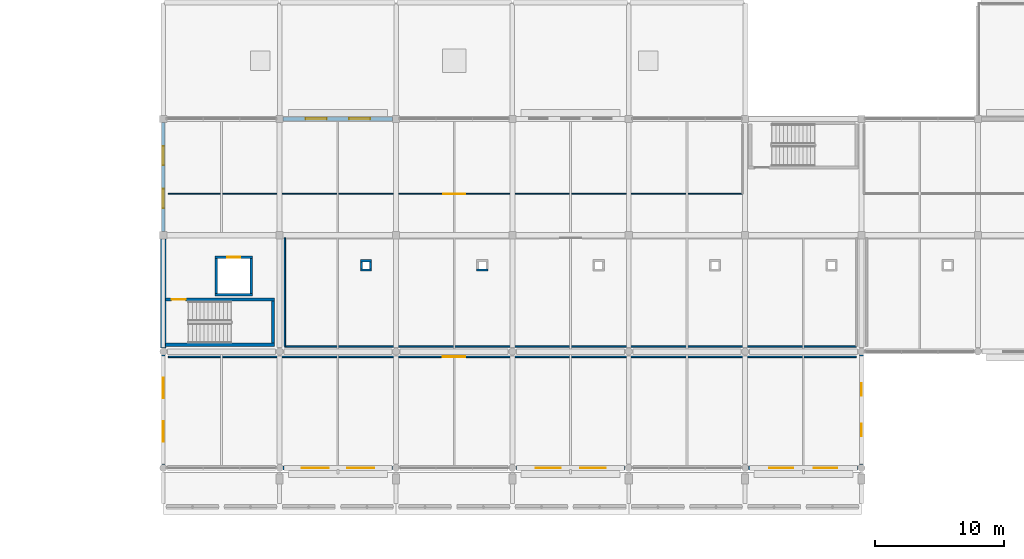
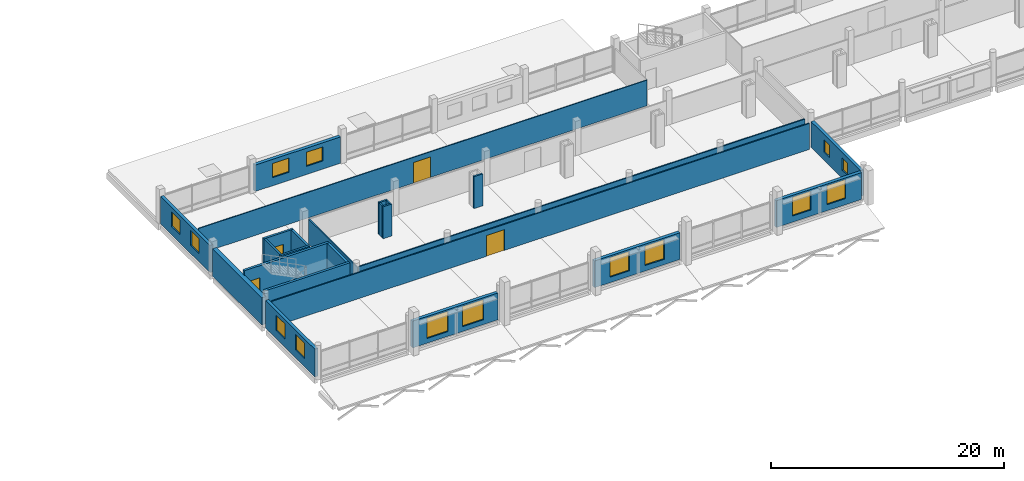
# One storey, part 110 of 132: 24 walls, 14 windows, 4 doors, 18 openings.
"""IFC4 building model written with IfcOpenShell, lengths in metres."""

import ifcopenshell
import ifcopenshell.guid

model = None  # the IFC model being written
_history = None  # IfcOwnerHistory: only IFC2X3 demands one
_inside = {}  # id of a spatial element -> (the spatial element, [elements in it])
_under = {}  # id of a project, library or spatial element -> (it, [spatial elements below it])
_declared = {}  # id of a project -> (the project, [libraries it declares])
_typed = {}  # id of a type object -> (the type object, [elements of that type])
_made_of = {}  # id of a material, layer set ... -> (it, [elements and type objects made of it])


def new_model(schema):
    """Start an empty IFC model of exactly this schema.

    Asked for "IFC4X3", IfcOpenShell would pick the latest addendum, in which some entities
    have other attributes; the version numbers below select the first issue.
    IFC2X3 requires an IfcOwnerHistory on every rooted entity: one is made here for all.
    """
    global model, _history
    if schema == "IFC4X3":
        model = ifcopenshell.file(schema_version=(4, 3, 0, 0))
    else:
        model = ifcopenshell.file(schema=schema)
    _inside.clear()
    _under.clear()
    _declared.clear()
    _typed.clear()
    _made_of.clear()
    _history = None
    if model.schema == "IFC2X3":
        org = make("IfcOrganization", Name="unknown")
        user = make(
            "IfcPersonAndOrganization",
            ThePerson=make("IfcPerson", FamilyName="unknown"),
            TheOrganization=org,
        )
        app = make(
            "IfcApplication",
            ApplicationDeveloper=org,
            Version="unknown",
            ApplicationFullName="unknown",
            ApplicationIdentifier="unknown",
        )
        _history = make(
            "IfcOwnerHistory",
            OwningUser=user,
            OwningApplication=app,
            ChangeAction="ADDED",
            CreationDate=0,
        )
    return model


def make(cls, **values):
    """One entity of the class cls with the attributes given. An attribute that is None is left unset."""
    return model.create_entity(
        cls, **{name: value for name, value in values.items() if value is not None}
    )


def rooted(cls, **values):
    """An entity with a GlobalId (a new one), such as an element, a storey or a relation."""
    return make(cls, GlobalId=ifcopenshell.guid.new(), OwnerHistory=_history, **values)


def si_unit(unit_type, name, prefix=None):
    """IfcSIUnit, for example si_unit("LENGTHUNIT", "METRE", prefix="MILLI")."""
    return make("IfcSIUnit", UnitType=unit_type, Prefix=prefix, Name=name)


def assignment(units):
    """IfcUnitAssignment: the units of a project."""
    return None if units is None else make("IfcUnitAssignment", Units=units)


def point(xyz):
    """IfcCartesianPoint."""
    return None if xyz is None else make("IfcCartesianPoint", Coordinates=xyz)


def direction(xyz):
    """IfcDirection."""
    return None if xyz is None else make("IfcDirection", DirectionRatios=xyz)


def frame(location, z_axis=None, x_axis=None):
    """IfcAxis2Placement3D, a coordinate frame: its origin and axes. An axis left out is left unset."""
    return make(
        "IfcAxis2Placement3D",
        Location=point(location),
        Axis=direction(z_axis),
        RefDirection=direction(x_axis),
    )


def frame_2d(location, x_axis=None):
    """IfcAxis2Placement2D, a coordinate frame in the plane: its origin and x axis."""
    return make(
        "IfcAxis2Placement2D", Location=point(location), RefDirection=direction(x_axis)
    )


def origin():
    """The frame at (0, 0, 0) with its axes left unset."""
    return frame((0.0, 0.0, 0.0))


def place(relative_to, where):
    """IfcLocalPlacement: puts the frame where relative to a parent placement (None: the world)."""
    return make(
        "IfcLocalPlacement", PlacementRelTo=relative_to, RelativePlacement=where
    )


def context(
    kind, dimensions, precision=None, world=None, true_north=None, identifier=None
):
    """IfcGeometricRepresentationContext, for example the 3D "Model" context."""
    return make(
        "IfcGeometricRepresentationContext",
        ContextIdentifier=identifier,
        ContextType=kind,
        CoordinateSpaceDimension=dimensions,
        Precision=precision,
        WorldCoordinateSystem=world,
        TrueNorth=true_north,
    )


def subcontext(parent, identifier, kind, view, scale=None):
    """IfcGeometricRepresentationSubContext, for example "Body" below "Model"."""
    return make(
        "IfcGeometricRepresentationSubContext",
        ContextIdentifier=identifier,
        ContextType=kind,
        ParentContext=parent,
        TargetScale=scale,
        TargetView=view,
    )


def project(units=None, contexts=None):
    """IfcProject with its units and contexts."""
    return rooted(
        "IfcProject",
        Name="project",
        RepresentationContexts=contexts,
        UnitsInContext=assignment(units),
    )


def spatial(cls, under=None, at=None, **own):
    """A site, building, storey or space (cls), placed at a placement, below another one or the project."""
    s = rooted(cls, ObjectPlacement=at, **own)
    if under is not None:
        _under.setdefault(under.id(), (under, []))[1].append(s)
    return s


def profile(cls, at=None, kind="AREA", **sizes):
    """A parametric profile (cls). Its sizes go by their IFC names, for example OverallWidth=200.0."""
    return make(cls, ProfileType=kind, Position=at, **sizes)


def rectangle(**sizes):
    """IfcRectangleProfileDef."""
    return profile("IfcRectangleProfileDef", **sizes)


def extrude(swept, where, along, depth):
    """IfcExtrudedAreaSolid: the profile swept, set in the frame where, extruded along a direction by depth."""
    return make(
        "IfcExtrudedAreaSolid",
        SweptArea=swept,
        Position=where,
        ExtrudedDirection=direction(along),
        Depth=depth,
    )


def shape(context_of_items, identifier, shape_type, items):
    """IfcShapeRepresentation: the items that make up one representation, for example the "Body"."""
    return make(
        "IfcShapeRepresentation",
        ContextOfItems=context_of_items,
        RepresentationIdentifier=identifier,
        RepresentationType=shape_type,
        Items=items,
    )


def material(Name=None, Category=None):
    """IfcMaterial."""
    return make("IfcMaterial", Name=Name, Category=Category)


def layer(
    of_material, thickness, ventilated=None, Name=None, Category=None, Priority=None
):
    """IfcMaterialLayer: one layer of a wall or slab, of a material (None: an air gap)."""
    return make(
        "IfcMaterialLayer",
        Material=of_material,
        LayerThickness=thickness,
        IsVentilated=ventilated,
        Name=Name,
        Category=Category,
        Priority=Priority,
    )


def layer_set(layers, Name=None):
    """IfcMaterialLayerSet."""
    return make("IfcMaterialLayerSet", MaterialLayers=layers, LayerSetName=Name)


def made_of(thing, what):
    """Note that an element or type object is made of a material, layer set ...; save() writes the relation."""
    if what is not None:
        _made_of.setdefault(what.id(), (what, []))[1].append(thing)
    return thing


def type_object(cls, material=None, **own):
    """A type object (cls), such as IfcWallType, which elements share."""
    return made_of(rooted(cls, **own), material)


def element(
    cls,
    number,
    at=None,
    inside=None,
    cuts=None,
    type_object=None,
    material=None,
    context=None,
    identifier="Body",
    shape_type=None,
    held_by="IfcProductDefinitionShape",
    body=None,
    shapes=None,
    **own,
):
    """One element of the class cls, such as IfcWall. Its Tag is "e" and its number.

    at: its placement. inside: the storey or other place that contains it. cuts: it is an
    opening in that element (IfcRelVoidsElement). A single representation is given by context,
    identifier, shape_type and body (its items); several are given by shapes. held_by: the class
    of the entity that holds the representations. save() writes the other relations.
    """
    e = rooted(cls, Tag="e%d" % number, ObjectPlacement=at, **own)
    if body is not None:
        shapes = [shape(context, identifier, shape_type, body)]
    if shapes is not None:
        e.Representation = make(held_by, Representations=shapes)
    if inside is not None:
        _inside.setdefault(inside.id(), (inside, []))[1].append(e)
    if cuts is not None:
        rooted(
            "IfcRelVoidsElement", RelatingBuildingElement=cuts, RelatedOpeningElement=e
        )
    if type_object is not None:
        _typed.setdefault(type_object.id(), (type_object, []))[1].append(e)
    return made_of(e, material)


def fill(opening, filler):
    """IfcRelFillsElement: the door or window that sits in an opening."""
    return rooted(
        "IfcRelFillsElement",
        RelatingOpeningElement=opening,
        RelatedBuildingElement=filler,
    )


def aggregate(whole, parts):
    """IfcRelAggregates: a whole, such as a stair, and the parts it consists of."""
    return rooted("IfcRelAggregates", RelatingObject=whole, RelatedObjects=parts)


def save(model, path):
    """Write the relations noted so far, then the file.

    IfcRelAggregates (storeys below a building ...), IfcRelContainedInSpatialStructure (elements
    in a storey), IfcRelDefinesByType, IfcRelAssociatesMaterial and IfcRelDeclares: one each for
    every whole, place, type object, material and project.
    """
    for whole, parts in _under.values():
        aggregate(whole, parts)
    for where, things in _inside.values():
        rooted(
            "IfcRelContainedInSpatialStructure",
            RelatedElements=things,
            RelatingStructure=where,
        )
    for kind, things in _typed.values():
        rooted("IfcRelDefinesByType", RelatedObjects=things, RelatingType=kind)
    for what, things in _made_of.values():
        rooted("IfcRelAssociatesMaterial", RelatedObjects=things, RelatingMaterial=what)
    for by, libraries in _declared.values():
        rooted("IfcRelDeclares", RelatingContext=by, RelatedDefinitions=libraries)
    model.write(path)


model = new_model("IFC4")

# Units and contexts
model_context = context("Model", 3, precision=1e-05, world=origin(), true_north=direction((0.0, 1.0)))
body_context = subcontext(model_context, "Body", "Model", "MODEL_VIEW")
ifc_project = project(units=[si_unit("LENGTHUNIT", "METRE"), si_unit("AREAUNIT", "SQUARE_METRE"), si_unit("VOLUMEUNIT", "CUBIC_METRE"), si_unit("PLANEANGLEUNIT", "RADIAN"), si_unit("MASSUNIT", "GRAM", prefix="KILO")], contexts=[model_context])

# Site, building, storey
site_placement = place(None, origin())
site = spatial("IfcSite", under=ifc_project, at=site_placement, CompositionType="ELEMENT")
building_placement = place(site_placement, origin())
building = spatial("IfcBuilding", under=site, at=building_placement, Name="Tharagai Park Tramway Depot", CompositionType="ELEMENT")
storey_placement = place(building_placement, frame((0.0, 0.0, 4.800048828125)))
storey = spatial("IfcBuildingStorey", under=building, at=storey_placement, Name="L01", CompositionType="ELEMENT", Elevation=4.800048828125)

# Wall
ifc_material_1 = material(Name="Charnockite stone", Category="masonry")
ifc_layer_1 = layer(ifc_material_1, 0.419921875)
ifc_layer_set_1 = layer_set([ifc_layer_1], Name="Charnockite stone")
wall_type_1 = type_object("IfcWallType", Name="EW-07", PredefinedType="SOLIDWALL", material=ifc_layer_set_1)
wall_1_placement = place(storey_placement, frame((135.0, 9.27294921875, 0.0), z_axis=(0.0, 0.0, 1.0), x_axis=(0.0, 1.0, 0.0)))
element("IfcWall", 1, at=wall_1_placement, inside=storey, type_object=wall_type_1, Name="L01 V5 Exterior Masonry Wall EW-07", PredefinedType="SOLIDWALL", context=body_context, shape_type="SweptSolid", body=[
    extrude(rectangle(XDim=8.4541015625, YDim=0.419921875, at=frame_2d((4.22705078125, 0.0))), origin(), (0.0, 0.0, 1.0), 2.862060546875),
])

# Wall, openings, windows
ifc_material_2 = material(Name="Pressed clay brick", Category="masonry")
ifc_layer_2 = layer(ifc_material_2, 0.300048828125)
ifc_layer_set_2 = layer_set([ifc_layer_2], Name="Pressed clay brick")
wall_type_2 = type_object("IfcWallType", Name="EW-08", PredefinedType="SOLIDWALL", material=ifc_layer_set_2)
wall_2_placement = place(storey_placement, frame((135.0, 0.27294921875, 0.0), z_axis=(0.0, 0.0, 1.0), x_axis=(0.0, 1.0, 0.0)))
wall_2 = element("IfcWall", 2, at=wall_2_placement, inside=storey, type_object=wall_type_2, Name="L01 V5 Exterior Masonry Wall EW-08", PredefinedType="SOLIDWALL", context=body_context, shape_type="SweptSolid", body=[
    extrude(rectangle(XDim=8.4541015625, YDim=0.300048828125, at=frame_2d((4.22705078125, 0.0))), origin(), (0.0, 0.0, 1.0), 2.90185546875),
])
opening_1_placement = place(wall_2_placement, frame((1.764892578125, 0.0, 0.85009765625)))
opening_1 = element("IfcOpeningElement", 3, at=opening_1_placement, cuts=wall_2, Name="Opening WN-33", PredefinedType="OPENING", context=body_context, shape_type="SweptSolid", body=[
    extrude(rectangle(XDim=1.580078125, YDim=1.60009765625, at=frame_2d((0.7900390625, 0.800048828125))), frame((0.0, 0.159912109375, 0.0), z_axis=(0.0, -1.0, 0.0), x_axis=(1.0, 0.0, 0.0)), (0.0, 0.0, 1.0), 0.320068359375),
])
opening_2_placement = place(wall_2_placement, frame((5.10888671875, 0.0, 0.85009765625)))
opening_2 = element("IfcOpeningElement", 4, at=opening_2_placement, cuts=wall_2, Name="Opening WN-33", PredefinedType="OPENING", context=body_context, shape_type="SweptSolid", body=[
    extrude(rectangle(XDim=1.580078125, YDim=1.60009765625, at=frame_2d((0.7900390625, 0.800048828125))), frame((0.0, 0.159912109375, 0.0), z_axis=(0.0, -1.0, 0.0), x_axis=(1.0, 0.0, 0.0)), (0.0, 0.0, 1.0), 0.320068359375),
])
ifc_material_3 = material(Name="Laminated solar-control glass", Category="glass")
window_type_1 = type_object("IfcWindowType", Name="WN-33", PartitioningType="SINGLE_PANEL", PredefinedType="WINDOW", material=ifc_material_3)
window_1_placement = place(opening_1_placement, origin())
window_1 = element("IfcWindow", 5, at=window_1_placement, inside=storey, type_object=window_type_1, Name="L01 V5 Side Lancet Window WN-33", OverallHeight=1.60009765625, OverallWidth=1.580078125, PartitioningType="SINGLE_PANEL", PredefinedType="WINDOW", context=body_context, shape_type="SweptSolid", body=[
    extrude(rectangle(XDim=1.580078125, YDim=1.60009765625, at=frame_2d((0.7900390625, 0.800048828125))), frame((0.0, 0.030029296875, 0.0), z_axis=(0.0, -1.0, 0.0), x_axis=(1.0, 0.0, 0.0)), (0.0, 0.0, 1.0), 0.06005859375),
])
fill(opening_1, window_1)
window_2_placement = place(opening_2_placement, origin())
window_2 = element("IfcWindow", 6, at=window_2_placement, inside=storey, type_object=window_type_1, Name="L01 V5 Side Lancet Window WN-33", OverallHeight=1.60009765625, OverallWidth=1.580078125, PartitioningType="SINGLE_PANEL", PredefinedType="WINDOW", context=body_context, shape_type="SweptSolid", body=[
    extrude(rectangle(XDim=1.580078125, YDim=1.60009765625, at=frame_2d((0.7900390625, 0.800048828125))), frame((0.0, 0.030029296875, 0.0), z_axis=(0.0, -1.0, 0.0), x_axis=(1.0, 0.0, 0.0)), (0.0, 0.0, 1.0), 0.06005859375),
])
fill(opening_2, window_2)

wall_3_placement = place(storey_placement, frame((135.0, 18.27294921875, 0.0), z_axis=(0.0, 0.0, 1.0), x_axis=(0.0, 1.0, 0.0)))
wall_3 = element("IfcWall", 7, at=wall_3_placement, inside=storey, type_object=wall_type_2, Name="L01 V5 Exterior Masonry Wall EW-08", PredefinedType="SOLIDWALL", context=body_context, shape_type="SweptSolid", body=[
    extrude(rectangle(XDim=8.4541015625, YDim=0.300048828125, at=frame_2d((4.22705078125, 0.0))), origin(), (0.0, 0.0, 1.0), 2.862060546875),
])
opening_3_placement = place(wall_3_placement, frame((1.8310546875, 0.0, 0.85009765625)))
opening_3 = element("IfcOpeningElement", 8, at=opening_3_placement, cuts=wall_3, Name="Opening WN-03", PredefinedType="OPENING", context=body_context, shape_type="SweptSolid", body=[
    extrude(rectangle(XDim=1.47998046875, YDim=1.56005859375, at=frame_2d((0.739990234375, 0.780029296875))), frame((0.0, 0.159912109375, 0.0), z_axis=(0.0, -1.0, 0.0), x_axis=(1.0, 0.0, 0.0)), (0.0, 0.0, 1.0), 0.320068359375),
])
opening_4_placement = place(wall_3_placement, frame((5.14306640625, 0.0, 0.85009765625)))
opening_4 = element("IfcOpeningElement", 9, at=opening_4_placement, cuts=wall_3, Name="Opening WN-03", PredefinedType="OPENING", context=body_context, shape_type="SweptSolid", body=[
    extrude(rectangle(XDim=1.47998046875, YDim=1.56005859375, at=frame_2d((0.739990234375, 0.780029296875))), frame((0.0, 0.159912109375, 0.0), z_axis=(0.0, -1.0, 0.0), x_axis=(1.0, 0.0, 0.0)), (0.0, 0.0, 1.0), 0.320068359375),
])
window_type_2 = type_object("IfcWindowType", Name="WN-03", PartitioningType="SINGLE_PANEL", PredefinedType="WINDOW", material=ifc_material_3)
window_3_placement = place(opening_3_placement, origin())
window_3 = element("IfcWindow", 10, at=window_3_placement, inside=storey, type_object=window_type_2, Name="L01 V5 Side Lancet Window WN-03", OverallHeight=1.56005859375, OverallWidth=1.47998046875, PartitioningType="SINGLE_PANEL", PredefinedType="WINDOW", context=body_context, shape_type="SweptSolid", body=[
    extrude(rectangle(XDim=1.47998046875, YDim=1.56005859375, at=frame_2d((0.739990234375, 0.780029296875))), frame((0.0, 0.030029296875, 0.0), z_axis=(0.0, -1.0, 0.0), x_axis=(1.0, 0.0, 0.0)), (0.0, 0.0, 1.0), 0.06005859375),
])
fill(opening_3, window_3)
window_4_placement = place(opening_4_placement, origin())
window_4 = element("IfcWindow", 11, at=window_4_placement, inside=storey, type_object=window_type_2, Name="L01 V5 Side Lancet Window WN-03", OverallHeight=1.56005859375, OverallWidth=1.47998046875, PartitioningType="SINGLE_PANEL", PredefinedType="WINDOW", context=body_context, shape_type="SweptSolid", body=[
    extrude(rectangle(XDim=1.47998046875, YDim=1.56005859375, at=frame_2d((0.739990234375, 0.780029296875))), frame((0.0, 0.030029296875, 0.0), z_axis=(0.0, -1.0, 0.0), x_axis=(1.0, 0.0, 0.0)), (0.0, 0.0, 1.0), 0.06005859375),
])
fill(opening_4, window_4)

wall_4_placement = place(storey_placement, frame((189.0, 0.27294921875, 0.0), z_axis=(0.0, 0.0, 1.0), x_axis=(0.0, 1.0, 0.0)))
wall_4 = element("IfcWall", 12, at=wall_4_placement, inside=storey, type_object=wall_type_2, Name="L01 V5 Exterior Masonry Wall EW-08", PredefinedType="SOLIDWALL", context=body_context, shape_type="SweptSolid", body=[
    extrude(rectangle(XDim=8.4541015625, YDim=0.300048828125, at=frame_2d((4.22705078125, 0.0))), origin(), (0.0, 0.0, 1.0), 2.701904296875),
])
opening_5_placement = place(wall_4_placement, frame((2.19091796875, 0.0, 0.85009765625)))
opening_5 = element("IfcOpeningElement", 13, at=opening_5_placement, cuts=wall_4, Name="Opening WN-45", PredefinedType="OPENING", context=body_context, shape_type="SweptSolid", body=[
    extrude(rectangle(XDim=0.93994140625, YDim=1.280029296875, at=frame_2d((0.469970703125, 0.64013671875))), frame((0.0, 0.159912109375, 0.0), z_axis=(0.0, -1.0, 0.0), x_axis=(1.0, 0.0, 0.0)), (0.0, 0.0, 1.0), 0.320068359375),
])
opening_6_placement = place(wall_4_placement, frame((5.322998046875, 0.0, 0.85009765625)))
opening_6 = element("IfcOpeningElement", 14, at=opening_6_placement, cuts=wall_4, Name="Opening WN-45", PredefinedType="OPENING", context=body_context, shape_type="SweptSolid", body=[
    extrude(rectangle(XDim=0.93994140625, YDim=1.280029296875, at=frame_2d((0.469970703125, 0.64013671875))), frame((0.0, 0.159912109375, 0.0), z_axis=(0.0, -1.0, 0.0), x_axis=(1.0, 0.0, 0.0)), (0.0, 0.0, 1.0), 0.320068359375),
])
window_type_3 = type_object("IfcWindowType", Name="WN-45", PartitioningType="SINGLE_PANEL", PredefinedType="WINDOW", material=ifc_material_3)
window_5_placement = place(opening_5_placement, origin())
window_5 = element("IfcWindow", 15, at=window_5_placement, inside=storey, type_object=window_type_3, Name="L01 V5 Side Lancet Window WN-45", OverallHeight=1.280029296875, OverallWidth=0.93994140625, PartitioningType="SINGLE_PANEL", PredefinedType="WINDOW", context=body_context, shape_type="SweptSolid", body=[
    extrude(rectangle(XDim=0.93994140625, YDim=1.280029296875, at=frame_2d((0.469970703125, 0.64013671875))), frame((0.0, 0.030029296875, 0.0), z_axis=(0.0, -1.0, 0.0), x_axis=(1.0, 0.0, 0.0)), (0.0, 0.0, 1.0), 0.06005859375),
])
fill(opening_5, window_5)
window_6_placement = place(opening_6_placement, origin())
window_6 = element("IfcWindow", 16, at=window_6_placement, inside=storey, type_object=window_type_3, Name="L01 V5 Side Lancet Window WN-45", OverallHeight=1.280029296875, OverallWidth=0.93994140625, PartitioningType="SINGLE_PANEL", PredefinedType="WINDOW", context=body_context, shape_type="SweptSolid", body=[
    extrude(rectangle(XDim=0.93994140625, YDim=1.280029296875, at=frame_2d((0.469970703125, 0.64013671875))), frame((0.0, 0.030029296875, 0.0), z_axis=(0.0, -1.0, 0.0), x_axis=(1.0, 0.0, 0.0)), (0.0, 0.0, 1.0), 0.06005859375),
])
fill(opening_6, window_6)

ifc_layer_3 = layer(ifc_material_2, 0.320068359375)
ifc_layer_set_3 = layer_set([ifc_layer_3], Name="Pressed clay brick")
wall_type_3 = type_object("IfcWallType", Name="EW-09", PredefinedType="SOLIDWALL", material=ifc_layer_set_3)
wall_5_placement = place(storey_placement, frame((144.27294921875, 0.0, 0.0), z_axis=(0.0, 0.0, 1.0), x_axis=(1.0, 0.0, 0.0)))
wall_5 = element("IfcWall", 17, at=wall_5_placement, inside=storey, type_object=wall_type_3, Name="L01 V5 Exterior Masonry Wall EW-09", PredefinedType="SOLIDWALL", context=body_context, shape_type="SweptSolid", body=[
    extrude(rectangle(XDim=8.4541015625, YDim=0.320068359375, at=frame_2d((4.22705078125, 0.0))), origin(), (0.0, 0.0, 1.0), 2.802001953125),
])
opening_7_placement = place(wall_5_placement, frame((1.41796875, 0.0, 0.5)))
opening_7 = element("IfcOpeningElement", 18, at=opening_7_placement, cuts=wall_5, Name="Opening WN-39", PredefinedType="OPENING", context=body_context, shape_type="SweptSolid", body=[
    extrude(rectangle(XDim=2.10009765625, YDim=2.1201171875, at=frame_2d((1.050048828125, 1.06005859375))), frame((0.0, 0.169921875, 0.0), z_axis=(0.0, -1.0, 0.0), x_axis=(1.0, 0.0, 0.0)), (0.0, 0.0, 1.0), 0.340087890625),
])
opening_8_placement = place(wall_5_placement, frame((4.93603515625, 0.0, 0.5)))
opening_8 = element("IfcOpeningElement", 19, at=opening_8_placement, cuts=wall_5, Name="Opening WN-39", PredefinedType="OPENING", context=body_context, shape_type="SweptSolid", body=[
    extrude(rectangle(XDim=2.10009765625, YDim=2.1201171875, at=frame_2d((1.050048828125, 1.06005859375))), frame((0.0, 0.169921875, 0.0), z_axis=(0.0, -1.0, 0.0), x_axis=(1.0, 0.0, 0.0)), (0.0, 0.0, 1.0), 0.340087890625),
])
window_type_4 = type_object("IfcWindowType", Name="WN-39", PartitioningType="SINGLE_PANEL", PredefinedType="WINDOW", material=ifc_material_3)
window_7_placement = place(opening_7_placement, origin())
window_7 = element("IfcWindow", 20, at=window_7_placement, inside=storey, type_object=window_type_4, Name="L01 V5 Gothic Lancet Window WN-39", OverallHeight=2.1201171875, OverallWidth=2.10009765625, PartitioningType="SINGLE_PANEL", PredefinedType="WINDOW", context=body_context, shape_type="SweptSolid", body=[
    extrude(rectangle(XDim=2.10009765625, YDim=2.1201171875, at=frame_2d((1.050048828125, 1.06005859375))), frame((0.0, 0.030029296875, 0.0), z_axis=(0.0, -1.0, 0.0), x_axis=(1.0, 0.0, 0.0)), (0.0, 0.0, 1.0), 0.06005859375),
])
fill(opening_7, window_7)
window_8_placement = place(opening_8_placement, origin())
window_8 = element("IfcWindow", 21, at=window_8_placement, inside=storey, type_object=window_type_4, Name="L01 V5 Gothic Lancet Window WN-39", OverallHeight=2.1201171875, OverallWidth=2.10009765625, PartitioningType="SINGLE_PANEL", PredefinedType="WINDOW", context=body_context, shape_type="SweptSolid", body=[
    extrude(rectangle(XDim=2.10009765625, YDim=2.1201171875, at=frame_2d((1.050048828125, 1.06005859375))), frame((0.0, 0.030029296875, 0.0), z_axis=(0.0, -1.0, 0.0), x_axis=(1.0, 0.0, 0.0)), (0.0, 0.0, 1.0), 0.06005859375),
])
fill(opening_8, window_8)

wall_6_placement = place(storey_placement, frame((162.27294921875, 0.0, 0.0), z_axis=(0.0, 0.0, 1.0), x_axis=(1.0, 0.0, 0.0)))
wall_6 = element("IfcWall", 22, at=wall_6_placement, inside=storey, type_object=wall_type_3, Name="L01 V5 Exterior Masonry Wall EW-09", PredefinedType="SOLIDWALL", context=body_context, shape_type="SweptSolid", body=[
    extrude(rectangle(XDim=8.4541015625, YDim=0.320068359375, at=frame_2d((4.22705078125, 0.0))), origin(), (0.0, 0.0, 1.0), 2.802001953125),
])
opening_9_placement = place(wall_6_placement, frame((1.51806640625, 0.0, 0.570068359375)))
opening_9 = element("IfcOpeningElement", 23, at=opening_9_placement, cuts=wall_6, Name="Opening WN-19", PredefinedType="OPENING", context=body_context, shape_type="SweptSolid", body=[
    extrude(rectangle(XDim=1.949951171875, YDim=2.050048828125, at=frame_2d((0.97509765625, 1.02490234375))), frame((0.0, 0.169921875, 0.0), z_axis=(0.0, -1.0, 0.0), x_axis=(1.0, 0.0, 0.0)), (0.0, 0.0, 1.0), 0.340087890625),
])
opening_10_placement = place(wall_6_placement, frame((4.986083984375, 0.0, 0.570068359375)))
opening_10 = element("IfcOpeningElement", 24, at=opening_10_placement, cuts=wall_6, Name="Opening WN-19", PredefinedType="OPENING", context=body_context, shape_type="SweptSolid", body=[
    extrude(rectangle(XDim=1.949951171875, YDim=2.050048828125, at=frame_2d((0.97509765625, 1.02490234375))), frame((0.0, 0.169921875, 0.0), z_axis=(0.0, -1.0, 0.0), x_axis=(1.0, 0.0, 0.0)), (0.0, 0.0, 1.0), 0.340087890625),
])
window_type_5 = type_object("IfcWindowType", Name="WN-19", PartitioningType="SINGLE_PANEL", PredefinedType="WINDOW", material=ifc_material_3)
window_9_placement = place(opening_9_placement, origin())
window_9 = element("IfcWindow", 25, at=window_9_placement, inside=storey, type_object=window_type_5, Name="L01 V5 Gothic Lancet Window WN-19", OverallHeight=2.050048828125, OverallWidth=1.949951171875, PartitioningType="SINGLE_PANEL", PredefinedType="WINDOW", context=body_context, shape_type="SweptSolid", body=[
    extrude(rectangle(XDim=1.949951171875, YDim=2.050048828125, at=frame_2d((0.97509765625, 1.02490234375))), frame((0.0, 0.030029296875, 0.0), z_axis=(0.0, -1.0, 0.0), x_axis=(1.0, 0.0, 0.0)), (0.0, 0.0, 1.0), 0.06005859375),
])
fill(opening_9, window_9)
window_10_placement = place(opening_10_placement, origin())
window_10 = element("IfcWindow", 26, at=window_10_placement, inside=storey, type_object=window_type_5, Name="L01 V5 Gothic Lancet Window WN-19", OverallHeight=2.050048828125, OverallWidth=1.949951171875, PartitioningType="SINGLE_PANEL", PredefinedType="WINDOW", context=body_context, shape_type="SweptSolid", body=[
    extrude(rectangle(XDim=1.949951171875, YDim=2.050048828125, at=frame_2d((0.97509765625, 1.02490234375))), frame((0.0, 0.030029296875, 0.0), z_axis=(0.0, -1.0, 0.0), x_axis=(1.0, 0.0, 0.0)), (0.0, 0.0, 1.0), 0.06005859375),
])
fill(opening_10, window_10)

wall_7_placement = place(storey_placement, frame((180.27294921875, 0.0, 0.0), z_axis=(0.0, 0.0, 1.0), x_axis=(1.0, 0.0, 0.0)))
wall_7 = element("IfcWall", 27, at=wall_7_placement, inside=storey, type_object=wall_type_3, Name="L01 V5 Exterior Masonry Wall EW-09", PredefinedType="SOLIDWALL", context=body_context, shape_type="SweptSolid", body=[
    extrude(rectangle(XDim=8.4541015625, YDim=0.320068359375, at=frame_2d((4.22705078125, 0.0))), origin(), (0.0, 0.0, 1.0), 2.802001953125),
])
opening_11_placement = place(wall_7_placement, frame((1.5849609375, 0.0, 0.639892578125)))
opening_11 = element("IfcOpeningElement", 28, at=opening_11_placement, cuts=wall_7, Name="Opening WN-52", PredefinedType="OPENING", context=body_context, shape_type="SweptSolid", body=[
    extrude(rectangle(XDim=1.85009765625, YDim=1.97998046875, at=frame_2d((0.925048828125, 0.989990234375))), frame((0.0, 0.169921875, 0.0), z_axis=(0.0, -1.0, 0.0), x_axis=(1.0, 0.0, 0.0)), (0.0, 0.0, 1.0), 0.340087890625),
])
opening_12_placement = place(wall_7_placement, frame((5.01904296875, 0.0, 0.639892578125)))
opening_12 = element("IfcOpeningElement", 29, at=opening_12_placement, cuts=wall_7, Name="Opening WN-52", PredefinedType="OPENING", context=body_context, shape_type="SweptSolid", body=[
    extrude(rectangle(XDim=1.85009765625, YDim=1.97998046875, at=frame_2d((0.925048828125, 0.989990234375))), frame((0.0, 0.169921875, 0.0), z_axis=(0.0, -1.0, 0.0), x_axis=(1.0, 0.0, 0.0)), (0.0, 0.0, 1.0), 0.340087890625),
])
window_type_6 = type_object("IfcWindowType", Name="WN-52", PartitioningType="SINGLE_PANEL", PredefinedType="WINDOW", material=ifc_material_3)
window_11_placement = place(opening_11_placement, origin())
window_11 = element("IfcWindow", 30, at=window_11_placement, inside=storey, type_object=window_type_6, Name="L01 V5 Gothic Lancet Window WN-52", OverallHeight=1.97998046875, OverallWidth=1.85009765625, PartitioningType="SINGLE_PANEL", PredefinedType="WINDOW", context=body_context, shape_type="SweptSolid", body=[
    extrude(rectangle(XDim=1.85009765625, YDim=1.97998046875, at=frame_2d((0.925048828125, 0.989990234375))), frame((0.0, 0.030029296875, 0.0), z_axis=(0.0, -1.0, 0.0), x_axis=(1.0, 0.0, 0.0)), (0.0, 0.0, 1.0), 0.06005859375),
])
fill(opening_11, window_11)
window_12_placement = place(opening_12_placement, origin())
window_12 = element("IfcWindow", 31, at=window_12_placement, inside=storey, type_object=window_type_6, Name="L01 V5 Gothic Lancet Window WN-52", OverallHeight=1.97998046875, OverallWidth=1.85009765625, PartitioningType="SINGLE_PANEL", PredefinedType="WINDOW", context=body_context, shape_type="SweptSolid", body=[
    extrude(rectangle(XDim=1.85009765625, YDim=1.97998046875, at=frame_2d((0.925048828125, 0.989990234375))), frame((0.0, 0.030029296875, 0.0), z_axis=(0.0, -1.0, 0.0), x_axis=(1.0, 0.0, 0.0)), (0.0, 0.0, 1.0), 0.06005859375),
])
fill(opening_12, window_12)

wall_8_placement = place(storey_placement, frame((144.27294921875, 27.0, 0.0), z_axis=(0.0, 0.0, 1.0), x_axis=(1.0, 0.0, 0.0)))
wall_8 = element("IfcWall", 32, at=wall_8_placement, inside=storey, type_object=wall_type_3, Name="L01 V5 Exterior Masonry Wall EW-09", PredefinedType="SOLIDWALL", context=body_context, shape_type="SweptSolid", body=[
    extrude(rectangle(XDim=8.4541015625, YDim=0.320068359375, at=frame_2d((4.22705078125, 0.0))), origin(), (0.0, 0.0, 1.0), 2.761962890625),
])
opening_13_placement = place(wall_8_placement, frame((1.738037109375, 0.0, 0.85009765625)))
opening_13 = element("IfcOpeningElement", 33, at=opening_13_placement, cuts=wall_8, Name="Opening WN-22", PredefinedType="OPENING", context=body_context, shape_type="SweptSolid", body=[
    extrude(rectangle(XDim=1.6201171875, YDim=1.47998046875, at=frame_2d((0.81005859375, 0.739990234375))), frame((0.0, 0.169921875, 0.0), z_axis=(0.0, -1.0, 0.0), x_axis=(1.0, 0.0, 0.0)), (0.0, 0.0, 1.0), 0.340087890625),
])
opening_14_placement = place(wall_8_placement, frame((5.095947265625, 0.0, 0.85009765625)))
opening_14 = element("IfcOpeningElement", 34, at=opening_14_placement, cuts=wall_8, Name="Opening WN-22", PredefinedType="OPENING", context=body_context, shape_type="SweptSolid", body=[
    extrude(rectangle(XDim=1.6201171875, YDim=1.47998046875, at=frame_2d((0.81005859375, 0.739990234375))), frame((0.0, 0.169921875, 0.0), z_axis=(0.0, -1.0, 0.0), x_axis=(1.0, 0.0, 0.0)), (0.0, 0.0, 1.0), 0.340087890625),
])
window_type_7 = type_object("IfcWindowType", Name="WN-22", PartitioningType="SINGLE_PANEL", PredefinedType="WINDOW", material=ifc_material_3)
window_13_placement = place(opening_13_placement, origin())
window_13 = element("IfcWindow", 35, at=window_13_placement, inside=storey, type_object=window_type_7, Name="L01 V5 Gothic Lancet Window WN-22", OverallHeight=1.47998046875, OverallWidth=1.6201171875, PartitioningType="SINGLE_PANEL", PredefinedType="WINDOW", context=body_context, shape_type="SweptSolid", body=[
    extrude(rectangle(XDim=1.6201171875, YDim=1.47998046875, at=frame_2d((0.81005859375, 0.739990234375))), frame((0.0, 0.030029296875, 0.0), z_axis=(0.0, -1.0, 0.0), x_axis=(1.0, 0.0, 0.0)), (0.0, 0.0, 1.0), 0.06005859375),
])
fill(opening_13, window_13)
window_14_placement = place(opening_14_placement, origin())
window_14 = element("IfcWindow", 36, at=window_14_placement, inside=storey, type_object=window_type_7, Name="L01 V5 Gothic Lancet Window WN-22", OverallHeight=1.47998046875, OverallWidth=1.6201171875, PartitioningType="SINGLE_PANEL", PredefinedType="WINDOW", context=body_context, shape_type="SweptSolid", body=[
    extrude(rectangle(XDim=1.6201171875, YDim=1.47998046875, at=frame_2d((0.81005859375, 0.739990234375))), frame((0.0, 0.030029296875, 0.0), z_axis=(0.0, -1.0, 0.0), x_axis=(1.0, 0.0, 0.0)), (0.0, 0.0, 1.0), 0.06005859375),
])
fill(opening_14, window_14)

# Walls
ifc_layer_4 = layer(ifc_material_2, 0.159912109375)
ifc_layer_set_4 = layer_set([ifc_layer_4], Name="Pressed clay brick")
wall_type_4 = type_object("IfcWallType", Name="IW-02", PredefinedType="PARTITIONING", material=ifc_layer_set_4)
for number, where, z_axis, x_axis, name in (
    (37, (150.239990234375, 15.320068359375, 0.0), (0.0, 0.0, 1.0), (1.0, 0.0, 0.0), "L01 Pipe Riser Enclosure Wall 31 S"),
    (38, (150.239990234375, 16.030029296875, 0.0), (0.0, 0.0, 1.0), (1.0, 0.0, 0.0), "L01 Pipe Riser Enclosure Wall 31 N"),
):
    element("IfcWall", number, at=place(storey_placement, frame(where, z_axis=z_axis, x_axis=x_axis)), inside=storey, type_object=wall_type_4, Name=name, PredefinedType="PARTITIONING", context=body_context, shape_type="SweptSolid", body=[
        extrude(rectangle(XDim=0.8701171875, YDim=0.159912109375, at=frame_2d((0.43505859375, 0.0))), origin(), (0.0, 0.0, 1.0), 3.349853515625),
    ])
for number, where, z_axis, x_axis, name in (
    (39, (150.320068359375, 15.39990234375, 0.0), (0.0, 0.0, 1.0), (0.0, 1.0, 0.0), "L01 Pipe Riser Enclosure Wall 31 W"),
    (40, (151.030029296875, 15.39990234375, 0.0), (0.0, 0.0, 1.0), (0.0, 1.0, 0.0), "L01 Pipe Riser Enclosure Wall 31 E"),
):
    element("IfcWall", number, at=place(storey_placement, frame(where, z_axis=z_axis, x_axis=x_axis)), inside=storey, type_object=wall_type_4, Name=name, PredefinedType="PARTITIONING", context=body_context, shape_type="SweptSolid", body=[
        extrude(rectangle(XDim=0.550048828125, YDim=0.159912109375, at=frame_2d((0.27490234375, 0.0))), origin(), (0.0, 0.0, 1.0), 3.349853515625),
    ])
wall_9_placement = place(storey_placement, frame((159.239990234375, 15.320068359375, 0.0), z_axis=(0.0, 0.0, 1.0), x_axis=(1.0, 0.0, 0.0)))
element("IfcWall", 41, at=wall_9_placement, inside=storey, type_object=wall_type_4, Name="L01 Pipe Riser Enclosure Wall 32 S", PredefinedType="PARTITIONING", context=body_context, shape_type="SweptSolid", body=[
    extrude(rectangle(XDim=0.8701171875, YDim=0.159912109375, at=frame_2d((0.43505859375, 0.0))), origin(), (0.0, 0.0, 1.0), 3.349853515625),
])

# Wall, opening, door
ifc_material_4 = material(Name="Gypsum board", Category="gypsum")
ifc_layer_5 = layer(ifc_material_4, 0.1201171875)
ifc_layer_set_5 = layer_set([ifc_layer_5], Name="Gypsum board")
wall_type_5 = type_object("IfcWallType", Name="IW-03", PredefinedType="PARTITIONING", material=ifc_layer_set_5)
wall_10_placement = place(storey_placement, frame((135.39990234375, 8.60009765625, 0.0), z_axis=(0.0, 0.0, 1.0), x_axis=(1.0, 0.0, 0.0)))
wall_10 = element("IfcWall", 42, at=wall_10_placement, inside=storey, type_object=wall_type_5, Name="Public Tramway Exhibition Gallery South Partition North", PredefinedType="PARTITIONING", context=body_context, shape_type="SweptSolid", body=[
    extrude(rectangle(XDim=53.2001953125, YDim=0.1201171875, at=frame_2d((26.60009765625, 0.0))), origin(), (0.0, 0.0, 1.0), 2.724853515625),
])
opening_15_placement = place(wall_10_placement, frame((21.22998046875, 0.0, 0.0)))
opening_15 = element("IfcOpeningElement", 43, at=opening_15_placement, cuts=wall_10, Name="Opening ID-04", PredefinedType="OPENING", context=body_context, shape_type="SweptSolid", body=[
    extrude(rectangle(XDim=1.739990234375, YDim=2.179931640625, at=frame_2d((0.8701171875, 1.08984375))), frame((0.0, 0.070068359375, 0.0), z_axis=(0.0, -1.0, 0.0), x_axis=(1.0, 0.0, 0.0)), (0.0, 0.0, 1.0), 0.14013671875),
])
ifc_material_5 = material(Name="Anodised aluminium", Category="aluminium")
door_type_1 = type_object("IfcDoorType", Name="ID-04", OperationType="DOUBLE_SWING_LEFT", PredefinedType="DOOR", material=ifc_material_5)
door_1_placement = place(opening_15_placement, origin())
door_1 = element("IfcDoor", 44, at=door_1_placement, inside=storey, type_object=door_type_1, Name="Public Tramway Exhibition Gallery South Door", OperationType="DOUBLE_SWING_LEFT", OverallHeight=2.179931640625, OverallWidth=1.739990234375, PredefinedType="DOOR", context=body_context, shape_type="SweptSolid", body=[
    extrude(rectangle(XDim=1.739990234375, YDim=2.179931640625, at=frame_2d((0.8701171875, 1.08984375))), frame((0.0, 0.02490234375, 0.0), z_axis=(0.0, -1.0, 0.0), x_axis=(1.0, 0.0, 0.0)), (0.0, 0.0, 1.0), 0.050048828125),
])
fill(opening_15, door_1)

# Walls
wall_11_placement = place(storey_placement, frame((144.39990234375, 9.39990234375, 0.0), z_axis=(0.0, 0.0, 1.0), x_axis=(1.0, 0.0, 0.0)))
element("IfcWall", 45, at=wall_11_placement, inside=storey, type_object=wall_type_5, Name="Curatorial Conservation Studio Partition South", PredefinedType="PARTITIONING", context=body_context, shape_type="SweptSolid", body=[
    extrude(rectangle(XDim=44.2001953125, YDim=0.1201171875, at=frame_2d((22.10009765625, 0.0))), origin(), (0.0, 0.0, 1.0), 2.68505859375),
])
wall_12_placement = place(storey_placement, frame((144.39990234375, 9.39990234375, 0.0), z_axis=(0.0, 0.0, 1.0), x_axis=(0.0, 1.0, 0.0)))
element("IfcWall", 46, at=wall_12_placement, inside=storey, type_object=wall_type_5, Name="Curatorial Conservation Studio Partition West", PredefinedType="PARTITIONING", context=body_context, shape_type="SweptSolid", body=[
    extrude(rectangle(XDim=8.400146484375, YDim=0.1201171875, at=frame_2d((4.2001953125, 0.0))), origin(), (0.0, 0.0, 1.0), 2.5849609375),
])

# Wall, opening, door
ifc_layer_6 = layer(ifc_material_3, 0.090087890625)
ifc_layer_set_6 = layer_set([ifc_layer_6], Name="Laminated solar-control glass")
wall_type_6 = type_object("IfcWallType", Name="IW-04", PredefinedType="MOVABLE", material=ifc_layer_set_6)
wall_13_placement = place(storey_placement, frame((135.39990234375, 21.199951171875, 0.0), z_axis=(0.0, 0.0, 1.0), x_axis=(1.0, 0.0, 0.0)))
wall_13 = element("IfcWall", 47, at=wall_13_placement, inside=storey, type_object=wall_type_6, Name="Madras Electric Tramway History Gallery Partition South", PredefinedType="MOVABLE", context=body_context, shape_type="SweptSolid", body=[
    extrude(rectangle(XDim=44.400146484375, YDim=0.090087890625, at=frame_2d((22.2001953125, 0.0))), origin(), (0.0, 0.0, 1.0), 2.68505859375),
])
opening_16_placement = place(wall_13_placement, frame((21.260009765625, 0.0, 0.0)))
opening_16 = element("IfcOpeningElement", 48, at=opening_16_placement, cuts=wall_13, Name="Opening ID-09", PredefinedType="OPENING", context=body_context, shape_type="SweptSolid", body=[
    extrude(rectangle(XDim=1.679931640625, YDim=2.139892578125, at=frame_2d((0.83984375, 1.06982421875))), frame((0.0, 0.054931640625, 0.0), z_axis=(0.0, -1.0, 0.0), x_axis=(1.0, 0.0, 0.0)), (0.0, 0.0, 1.0), 0.110107421875),
])
door_type_2 = type_object("IfcDoorType", Name="ID-09", OperationType="DOUBLE_SWING_LEFT", PredefinedType="DOOR", material=ifc_material_5)
door_2_placement = place(opening_16_placement, frame((1.679931640625, 0.0, 0.0), z_axis=(0.0, 0.0, 1.0), x_axis=(-1.0, 0.0, 0.0)))
door_2 = element("IfcDoor", 49, at=door_2_placement, inside=storey, type_object=door_type_2, Name="Madras Electric Tramway History Gallery Door", OperationType="DOUBLE_SWING_LEFT", OverallHeight=2.139892578125, OverallWidth=1.679931640625, PredefinedType="DOOR", context=body_context, shape_type="SweptSolid", body=[
    extrude(rectangle(XDim=1.679931640625, YDim=2.139892578125, at=frame_2d((0.83984375, 1.06982421875))), frame((0.0, 0.02490234375, 0.0), z_axis=(0.0, -1.0, 0.0), x_axis=(1.0, 0.0, 0.0)), (0.0, 0.0, 1.0), 0.050048828125),
])
fill(opening_16, door_2)

# Wall
ifc_material_6 = material(Name="Concrete M40", Category="concrete")
ifc_layer_7 = layer(ifc_material_6, 0.239990234375)
ifc_layer_set_7 = layer_set([ifc_layer_7], Name="Concrete M40")
wall_type_7 = type_object("IfcWallType", Name="SW-01", PredefinedType="SHEAR", material=ifc_layer_set_7)
wall_14_placement = place(storey_placement, frame((135.159912109375, 9.530029296875, 0.0), z_axis=(0.0, 0.0, 1.0), x_axis=(1.0, 0.0, 0.0)))
element("IfcWall", 50, at=wall_14_placement, inside=storey, type_object=wall_type_7, Name="Core C6 L01 Shear Wall South", PredefinedType="SHEAR", context=body_context, shape_type="SweptSolid", body=[
    extrude(rectangle(XDim=8.440185546875, YDim=0.239990234375, at=frame_2d((4.22021484375, 0.0))), origin(), (0.0, 0.0, 1.0), 3.349853515625),
])

# Wall, opening, door
wall_15_placement = place(storey_placement, frame((135.159912109375, 13.02001953125, 0.0), z_axis=(0.0, 0.0, 1.0), x_axis=(1.0, 0.0, 0.0)))
wall_15 = element("IfcWall", 51, at=wall_15_placement, inside=storey, type_object=wall_type_7, Name="Core C6 L01 Shear Wall North", PredefinedType="SHEAR", context=body_context, shape_type="SweptSolid", body=[
    extrude(rectangle(XDim=8.440185546875, YDim=0.239990234375, at=frame_2d((4.22021484375, 0.0))), origin(), (0.0, 0.0, 1.0), 3.349853515625),
])
opening_17_placement = place(wall_15_placement, frame((0.47998046875, 0.0, 0.0)))
opening_17 = element("IfcOpeningElement", 52, at=opening_17_placement, cuts=wall_15, Name="Opening ID-05", PredefinedType="OPENING", context=body_context, shape_type="SweptSolid", body=[
    extrude(rectangle(XDim=1.080078125, YDim=2.080078125, at=frame_2d((0.5400390625, 1.0400390625))), frame((0.0, 0.1298828125, 0.0), z_axis=(0.0, -1.0, 0.0), x_axis=(1.0, 0.0, 0.0)), (0.0, 0.0, 1.0), 0.260009765625),
])
ifc_material_7 = material(Name="Galvanised steel", Category="steel")
door_type_3 = type_object("IfcDoorType", Name="ID-05", OperationType="NOTDEFINED", PredefinedType="DOOR", material=ifc_material_7)
door_3_placement = place(opening_17_placement, frame((1.080078125, 0.0, 0.0), z_axis=(0.0, 0.0, 1.0), x_axis=(-1.0, 0.0, 0.0)))
door_3 = element("IfcDoor", 53, at=door_3_placement, inside=storey, type_object=door_type_3, Name="Stair ST-06 L01 Fire Door", OperationType="SINGLE_SWING_RIGHT", OverallHeight=2.080078125, OverallWidth=1.080078125, PredefinedType="DOOR", context=body_context, shape_type="SweptSolid", body=[
    extrude(rectangle(XDim=1.080078125, YDim=2.080078125, at=frame_2d((0.5400390625, 1.0400390625))), frame((0.0, 0.02490234375, 0.0), z_axis=(0.0, -1.0, 0.0), x_axis=(1.0, 0.0, 0.0)), (0.0, 0.0, 1.0), 0.050048828125),
])
fill(opening_17, door_3)

# Walls
wall_16_placement = place(storey_placement, frame((143.47998046875, 9.64990234375, 0.0), z_axis=(0.0, 0.0, 1.0), x_axis=(0.0, 1.0, 0.0)))
element("IfcWall", 54, at=wall_16_placement, inside=storey, type_object=wall_type_7, Name="Core C6 L01 Shear Wall East", PredefinedType="SHEAR", context=body_context, shape_type="SweptSolid", body=[
    extrude(rectangle(XDim=3.25, YDim=0.239990234375, at=frame_2d((1.625, 0.0))), origin(), (0.0, 0.0, 1.0), 3.349853515625),
])
ifc_layer_8 = layer(ifc_material_6, 0.199951171875)
ifc_layer_set_8 = layer_set([ifc_layer_8], Name="Concrete M40")
wall_type_8 = type_object("IfcWallType", Name="SW-02", PredefinedType="SHEAR", material=ifc_layer_set_8)
wall_17_placement = place(storey_placement, frame((139.0, 13.39990234375, 0.0), z_axis=(0.0, 0.0, 1.0), x_axis=(1.0, 0.0, 0.0)))
element("IfcWall", 55, at=wall_17_placement, inside=storey, type_object=wall_type_8, Name="Lift LP-03 L01 Shaft Wall South", PredefinedType="SHEAR", context=body_context, shape_type="SweptSolid", body=[
    extrude(rectangle(XDim=2.89990234375, YDim=0.199951171875, at=frame_2d((1.449951171875, 0.0))), origin(), (0.0, 0.0, 1.0), 3.349853515625),
])

# Wall, opening, door
wall_18_placement = place(storey_placement, frame((139.0, 16.300048828125, 0.0), z_axis=(0.0, 0.0, 1.0), x_axis=(1.0, 0.0, 0.0)))
wall_18 = element("IfcWall", 56, at=wall_18_placement, inside=storey, type_object=wall_type_8, Name="Lift LP-03 L01 Shaft Wall North", PredefinedType="SHEAR", context=body_context, shape_type="SweptSolid", body=[
    extrude(rectangle(XDim=2.89990234375, YDim=0.199951171875, at=frame_2d((1.449951171875, 0.0))), origin(), (0.0, 0.0, 1.0), 3.349853515625),
])
opening_18_placement = place(wall_18_placement, frame((0.949951171875, 0.0, 0.0)))
opening_18 = element("IfcOpeningElement", 57, at=opening_18_placement, cuts=wall_18, Name="Opening LD-02", PredefinedType="OPENING", context=body_context, shape_type="SweptSolid", body=[
    extrude(rectangle(XDim=1.0, YDim=2.10009765625, at=frame_2d((0.5, 1.050048828125))), frame((0.0, 0.10986328125, 0.0), z_axis=(0.0, -1.0, 0.0), x_axis=(1.0, 0.0, 0.0)), (0.0, 0.0, 1.0), 0.219970703125),
])
door_type_4 = type_object("IfcDoorType", Name="LD-02", OperationType="SLIDING_TO_LEFT", PredefinedType="DOOR", material=ifc_material_5)
door_4_placement = place(opening_18_placement, origin())
door_4 = element("IfcDoor", 58, at=door_4_placement, inside=storey, type_object=door_type_4, Name="Lift LP-03 L01 Sliding Landing Door", OperationType="SLIDING_TO_LEFT", OverallHeight=2.10009765625, OverallWidth=1.0, PredefinedType="DOOR", context=body_context, shape_type="SweptSolid", body=[
    extrude(rectangle(XDim=1.0, YDim=2.10009765625, at=frame_2d((0.5, 1.050048828125))), frame((0.0, 0.02490234375, 0.0), z_axis=(0.0, -1.0, 0.0), x_axis=(1.0, 0.0, 0.0)), (0.0, 0.0, 1.0), 0.050048828125),
])
fill(opening_18, door_4)

# Walls
for number, where, z_axis, x_axis, name in (
    (59, (139.10009765625, 13.5, 0.0), (0.0, 0.0, 1.0), (0.0, 1.0, 0.0), "Lift LP-03 L01 Shaft Wall West"),
    (60, (141.800048828125, 13.5, 0.0), (0.0, 0.0, 1.0), (0.0, 1.0, 0.0), "Lift LP-03 L01 Shaft Wall East"),
):
    element("IfcWall", number, at=place(storey_placement, frame(where, z_axis=z_axis, x_axis=x_axis)), inside=storey, type_object=wall_type_8, Name=name, PredefinedType="SHEAR", context=body_context, shape_type="SweptSolid", body=[
        extrude(rectangle(XDim=2.699951171875, YDim=0.199951171875, at=frame_2d((1.35009765625, 0.0))), origin(), (0.0, 0.0, 1.0), 3.349853515625),
    ])

save(model, "model.ifc")
